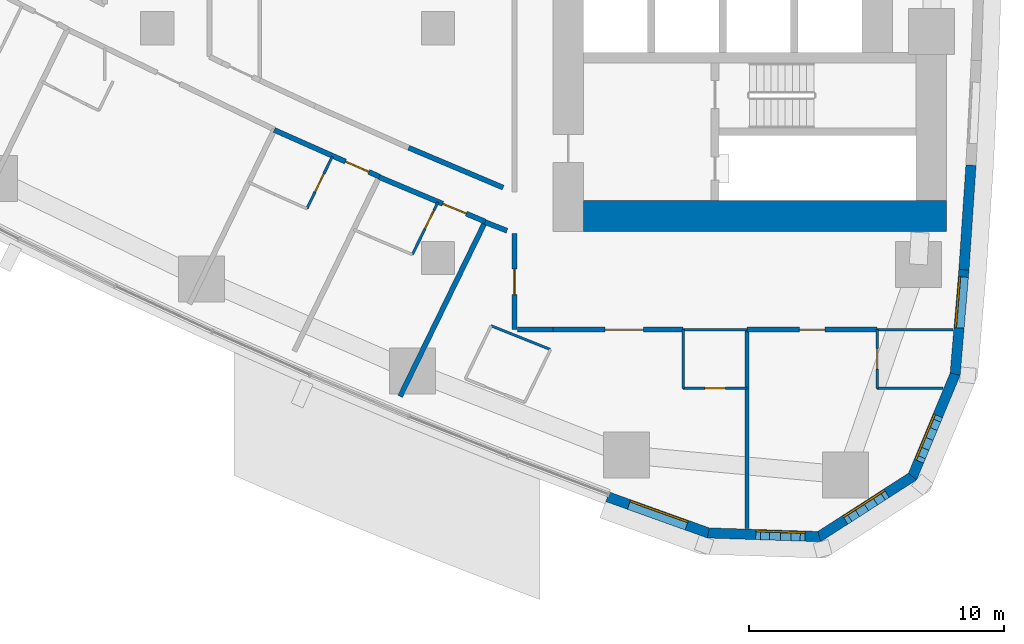
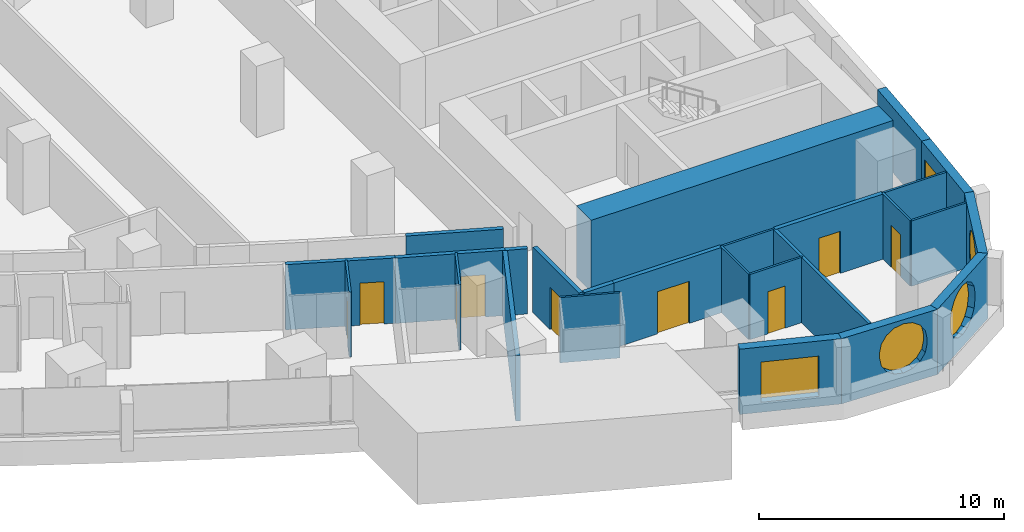
# One storey, part 10 of 19: 26 walls, 9 doors, 5 windows, 14 openings.
"""IFC4 building model written with IfcOpenShell, lengths in metres."""

from ifc_helpers import new_model, si_unit, direction, frame, frame_2d, origin, place, context, subcontext, project, spatial, polyline, rectangle, outline, extrude, material, layer, layer_set, type_object, element, fill, save


model = new_model("IFC4")

# Units and contexts
model_context = context("Model", 3, precision=1e-05, world=origin(), true_north=direction((0.0, 1.0)))
body_context = subcontext(model_context, "Body", "Model", "MODEL_VIEW")
ifc_project = project(units=[si_unit("LENGTHUNIT", "METRE"), si_unit("AREAUNIT", "SQUARE_METRE"), si_unit("VOLUMEUNIT", "CUBIC_METRE"), si_unit("PLANEANGLEUNIT", "RADIAN"), si_unit("MASSUNIT", "GRAM", prefix="KILO")], contexts=[model_context])

# Site, building, storey
site_placement = place(None, origin())
site = spatial("IfcSite", under=ifc_project, at=site_placement, CompositionType="ELEMENT")
building_placement = place(site_placement, origin())
building = spatial("IfcBuilding", under=site, at=building_placement, Name="Ostrand Prow Hotel Tower", CompositionType="ELEMENT")
storey_placement = place(building_placement, frame((0.0, 0.0, 46.699951171875)))
storey = spatial("IfcBuildingStorey", under=building, at=storey_placement, Name="L09", CompositionType="ELEMENT", Elevation=46.699951171875)

# Walls
ifc_material_1 = material(Name="Concrete C80/95", Category="concrete")
ifc_layer_1 = layer(ifc_material_1, 1.199951171875)
ifc_layer_set_1 = layer_set([ifc_layer_1], Name="Concrete C80/95")
wall_type_1 = type_object("IfcWallType", Name="Core wall 1200 C80/95", PredefinedType="SHEAR", material=ifc_layer_set_1)
wall_1_placement = place(storey_placement, frame((50.699951171875, -16.35009765625, 0.0), z_axis=(0.0, 0.0, 1.0), x_axis=(1.0, 0.0, 0.0)))
element("IfcWall", 1, at=wall_1_placement, inside=storey, type_object=wall_type_1, Name="Core wall CW-S", PredefinedType="SHEAR", context=body_context, shape_type="SweptSolid", body=[
    extrude(rectangle(XDim=14.219970703125, YDim=1.199951171875, at=frame_2d((7.10986328125, 0.0))), origin(), (0.0, 0.0, 1.0), 3.550048828125),
])
ifc_material_2 = material(Name="Plasterboard partition")
ifc_layer_2 = layer(ifc_material_2, 0.10009765625)
ifc_layer_set_2 = layer_set([ifc_layer_2], Name="Plasterboard partition")
wall_type_2 = type_object("IfcWallType", Name="Partition 100 bathroom wall", PredefinedType="PARTITIONING", material=ifc_layer_set_2)
wall_2_placement = place(storey_placement, frame((54.601806640625, -23.10009765625, 0.0), z_axis=(0.0, 0.0, 1.0), x_axis=(0.0, 1.0, 0.0)))
element("IfcWall", 2, at=wall_2_placement, inside=storey, type_object=wall_type_2, Name="BATHROOM WALL", PredefinedType="PARTITIONING", context=body_context, shape_type="SweptSolid", body=[
    extrude(rectangle(XDim=2.300048828125, YDim=0.10009765625, at=frame_2d((1.14990234375, 0.0))), origin(), (0.0, 0.0, 1.0), 3.25),
])

# Wall, opening, door
wall_3_placement = place(storey_placement, frame((57.101806640625, -23.10009765625, 0.0), z_axis=(0.0, 0.0, 1.0), x_axis=(-1.0, 0.0, 0.0)))
wall_3 = element("IfcWall", 3, at=wall_3_placement, inside=storey, type_object=wall_type_2, Name="BATHROOM WALL", PredefinedType="PARTITIONING", context=body_context, shape_type="SweptSolid", body=[
    extrude(rectangle(XDim=2.5, YDim=0.10009765625, at=frame_2d((1.25, 0.0))), origin(), (0.0, 0.0, 1.0), 3.25),
])
opening_1_placement = place(wall_3_placement, frame((0.85009765625, 0.0, 0.0)))
opening_1 = element("IfcOpeningElement", 4, at=opening_1_placement, cuts=wall_3, Name="Opening D2", PredefinedType="OPENING", context=body_context, shape_type="SweptSolid", body=[
    extrude(rectangle(XDim=0.800048828125, YDim=2.10009765625, at=frame_2d((0.39990234375, 1.050048828125))), frame((0.0, 0.06005859375, 0.0), z_axis=(0.0, -1.0, 0.0), x_axis=(1.0, 0.0, 0.0)), (0.0, 0.0, 1.0), 0.1201171875),
])
ifc_material_3 = material(Name="Timber door leaf", Category="wood")
door_type_1 = type_object("IfcDoorType", Name="Bathroom door 800", OperationType="SINGLE_SWING_LEFT", PredefinedType="DOOR", material=ifc_material_3)
door_1_placement = place(opening_1_placement, origin())
door_1 = element("IfcDoor", 5, at=door_1_placement, inside=storey, type_object=door_type_1, Name="DOOR", OperationType="SINGLE_SWING_LEFT", OverallHeight=2.10009765625, OverallWidth=0.800048828125, PredefinedType="DOOR", context=body_context, shape_type="SweptSolid", body=[
    extrude(rectangle(XDim=0.800048828125, YDim=2.10009765625, at=frame_2d((0.39990234375, 1.050048828125))), frame((0.0, 0.02490234375, 0.0), z_axis=(0.0, -1.0, 0.0), x_axis=(1.0, 0.0, 0.0)), (0.0, 0.0, 1.0), 0.050048828125),
])
fill(opening_1, door_1)

# Wall
wall_4_placement = place(storey_placement, frame((64.781494140625, -23.10009765625, 0.0), z_axis=(0.0, 0.0, 1.0), x_axis=(-1.0, 0.0, 0.0)))
element("IfcWall", 6, at=wall_4_placement, inside=storey, type_object=wall_type_2, Name="BATHROOM WALL", PredefinedType="PARTITIONING", context=body_context, shape_type="SweptSolid", body=[
    extrude(rectangle(XDim=2.578125, YDim=0.10009765625, at=frame_2d((1.2890625, 0.0))), origin(), (0.0, 0.0, 1.0), 3.25),
])

# Wall, opening, door
wall_5_placement = place(storey_placement, frame((62.203369140625, -23.10009765625, 0.0), z_axis=(0.0, 0.0, 1.0), x_axis=(0.0, 1.0, 0.0)))
wall_5 = element("IfcWall", 7, at=wall_5_placement, inside=storey, type_object=wall_type_2, Name="BATHROOM WALL", PredefinedType="PARTITIONING", context=body_context, shape_type="SweptSolid", body=[
    extrude(rectangle(XDim=2.300048828125, YDim=0.10009765625, at=frame_2d((1.14990234375, 0.0))), origin(), (0.0, 0.0, 1.0), 3.25),
])
opening_2_placement = place(wall_5_placement, frame((0.75, 0.0, 0.0)))
opening_2 = element("IfcOpeningElement", 8, at=opening_2_placement, cuts=wall_5, Name="Opening D2", PredefinedType="OPENING", context=body_context, shape_type="SweptSolid", body=[
    extrude(rectangle(XDim=0.800048828125, YDim=2.10009765625, at=frame_2d((0.39990234375, 1.050048828125))), frame((0.0, 0.06005859375, 0.0), z_axis=(0.0, -1.0, 0.0), x_axis=(1.0, 0.0, 0.0)), (0.0, 0.0, 1.0), 0.1201171875),
])
door_2_placement = place(opening_2_placement, origin())
door_2 = element("IfcDoor", 9, at=door_2_placement, inside=storey, type_object=door_type_1, Name="DOOR", OperationType="SINGLE_SWING_LEFT", OverallHeight=2.10009765625, OverallWidth=0.800048828125, PredefinedType="DOOR", context=body_context, shape_type="SweptSolid", body=[
    extrude(rectangle(XDim=0.800048828125, YDim=2.10009765625, at=frame_2d((0.39990234375, 1.050048828125))), frame((0.0, 0.02490234375, 0.0), z_axis=(0.0, -1.0, 0.0), x_axis=(1.0, 0.0, 0.0)), (0.0, 0.0, 1.0), 0.050048828125),
])
fill(opening_2, door_2)

wall_6_placement = place(storey_placement, frame((40.861328125, -14.0166015625, 0.0), z_axis=(0.0, 0.0, 1.0), x_axis=(-0.438233629628, -0.898861104878, 0.0)))
wall_6 = element("IfcWall", 10, at=wall_6_placement, inside=storey, type_object=wall_type_2, Name="BATHROOM WALL", PredefinedType="PARTITIONING", context=body_context, shape_type="SweptSolid", body=[
    extrude(rectangle(XDim=2.278564453125, YDim=0.10009765625, at=frame_2d((1.13916015625, 0.0))), origin(), (0.0, 0.0, 1.0), 3.25),
])
opening_3_placement = place(wall_6_placement, frame((0.75, 0.0, 0.0)))
opening_3 = element("IfcOpeningElement", 11, at=opening_3_placement, cuts=wall_6, Name="Opening D2", PredefinedType="OPENING", context=body_context, shape_type="SweptSolid", body=[
    extrude(rectangle(XDim=0.800048828125, YDim=2.10009765625, at=frame_2d((0.39990234375, 1.050048828125))), frame((0.0, 0.06005859375, 0.0), z_axis=(0.0, -1.0, 0.0), x_axis=(1.0, 0.0, 0.0)), (0.0, 0.0, 1.0), 0.1201171875),
])
door_3_placement = place(opening_3_placement, origin())
door_3 = element("IfcDoor", 12, at=door_3_placement, inside=storey, type_object=door_type_1, Name="DOOR", OperationType="SINGLE_SWING_LEFT", OverallHeight=2.10009765625, OverallWidth=0.800048828125, PredefinedType="DOOR", context=body_context, shape_type="SweptSolid", body=[
    extrude(rectangle(XDim=0.800048828125, YDim=2.10009765625, at=frame_2d((0.39990234375, 1.050048828125))), frame((0.0, 0.02490234375, 0.0), z_axis=(0.0, -1.0, 0.0), x_axis=(1.0, 0.0, 0.0)), (0.0, 0.0, 1.0), 0.050048828125),
])
fill(opening_3, door_3)

wall_7_placement = place(storey_placement, frame((44.994384765625, -15.8134765625, 0.0), z_axis=(0.0, 0.0, 1.0), x_axis=(-0.438197922062, -0.898878512982, 0.0)))
wall_7 = element("IfcWall", 13, at=wall_7_placement, inside=storey, type_object=wall_type_2, Name="BATHROOM WALL", PredefinedType="PARTITIONING", context=body_context, shape_type="SweptSolid", body=[
    extrude(rectangle(XDim=2.280517578125, YDim=0.10009765625, at=frame_2d((1.14013671875, 0.0))), origin(), (0.0, 0.0, 1.0), 3.25),
])
opening_4_placement = place(wall_7_placement, frame((0.35009765625, 0.0, 0.0)))
opening_4 = element("IfcOpeningElement", 14, at=opening_4_placement, cuts=wall_7, Name="Opening D2", PredefinedType="OPENING", context=body_context, shape_type="SweptSolid", body=[
    extrude(rectangle(XDim=0.800048828125, YDim=2.10009765625, at=frame_2d((0.39990234375, 1.050048828125))), frame((0.0, 0.06005859375, 0.0), z_axis=(0.0, -1.0, 0.0), x_axis=(1.0, 0.0, 0.0)), (0.0, 0.0, 1.0), 0.1201171875),
])
door_4_placement = place(opening_4_placement, origin())
door_4 = element("IfcDoor", 15, at=door_4_placement, inside=storey, type_object=door_type_1, Name="DOOR", OperationType="SINGLE_SWING_LEFT", OverallHeight=2.10009765625, OverallWidth=0.800048828125, PredefinedType="DOOR", context=body_context, shape_type="SweptSolid", body=[
    extrude(rectangle(XDim=0.800048828125, YDim=2.10009765625, at=frame_2d((0.39990234375, 1.050048828125))), frame((0.0, 0.02490234375, 0.0), z_axis=(0.0, -1.0, 0.0), x_axis=(1.0, 0.0, 0.0)), (0.0, 0.0, 1.0), 0.050048828125),
])
fill(opening_4, door_4)

# Walls
wall_8_placement = place(storey_placement, frame((47.0791015625, -20.652099609375, 0.0), z_axis=(0.0, 0.0, 1.0), x_axis=(0.928266690687, -0.371915247014, 0.0)))
element("IfcWall", 16, at=wall_8_placement, inside=storey, type_object=wall_type_2, Name="BATHROOM WALL", PredefinedType="PARTITIONING", context=body_context, shape_type="SweptSolid", body=[
    extrude(rectangle(XDim=2.4873046875, YDim=0.10009765625, at=frame_2d((1.24365234375, 0.0))), origin(), (0.0, 0.0, 1.0), 3.25),
])
wall_9_placement = place(storey_placement, frame((54.601806640625, -20.804931640625, 0.0), z_axis=(0.0, 0.0, 1.0), x_axis=(1.0, 0.0, 0.0)))
element("IfcWall", 17, at=wall_9_placement, inside=storey, type_object=wall_type_2, Name="BATHROOM WALL", PredefinedType="PARTITIONING", context=body_context, shape_type="SweptSolid", body=[
    extrude(rectangle(XDim=2.5, YDim=0.10009765625, at=frame_2d((1.25, 0.0))), origin(), (0.0, 0.0, 1.0), 3.25),
])
wall_10_placement = place(storey_placement, frame((62.203369140625, -20.804931640625, 0.0), z_axis=(0.0, 0.0, 1.0), x_axis=(1.0, 0.0, 0.0)))
element("IfcWall", 18, at=wall_10_placement, inside=storey, type_object=wall_type_2, Name="BATHROOM WALL", PredefinedType="PARTITIONING", context=body_context, shape_type="SweptSolid", body=[
    extrude(rectangle(XDim=2.97119140625, YDim=0.10009765625, at=frame_2d((1.485595703125, 0.0))), origin(), (0.0, 0.0, 1.0), 3.25),
])
ifc_material_4 = material(Name="Plasterboard partition")
ifc_layer_3 = layer(ifc_material_4, 0.14990234375)
ifc_layer_set_3 = layer_set([ifc_layer_3], Name="Plasterboard partition")
wall_type_3 = type_object("IfcWallType", Name="Partition 150 room partition", PredefinedType="PARTITIONING", material=ifc_layer_set_3)
wall_11_placement = place(storey_placement, frame((57.101806640625, -28.5869140625, 0.0), z_axis=(0.0, 0.0, 1.0), x_axis=(0.0, 1.0, 0.0)))
element("IfcWall", 19, at=wall_11_placement, inside=storey, type_object=wall_type_3, Name="ROOM PARTITION", PredefinedType="PARTITIONING", context=body_context, shape_type="SweptSolid", body=[
    extrude(rectangle(XDim=7.786865234375, YDim=0.14990234375, at=frame_2d((3.8935546875, 0.0))), origin(), (0.0, 0.0, 1.0), 3.25),
])

# Wall, opening, door
ifc_material_5 = material(Name="Plasterboard partition")
ifc_layer_4 = layer(ifc_material_5, 0.199951171875)
ifc_layer_set_4 = layer_set([ifc_layer_4], Name="Plasterboard partition")
wall_type_4 = type_object("IfcWallType", Name="Partition 200 corridor wall", PredefinedType="PARTITIONING", material=ifc_layer_set_4)
wall_12_placement = place(storey_placement, frame((38.584716796875, -12.981201171875, 0.0), z_axis=(0.0, 0.0, 1.0), x_axis=(0.914010307464, -0.40569096348, 0.0)))
wall_12 = element("IfcWall", 20, at=wall_12_placement, inside=storey, type_object=wall_type_4, Name="CORRIDOR WALL", PredefinedType="PARTITIONING", context=body_context, shape_type="SweptSolid", body=[
    extrude(rectangle(XDim=4.505615234375, YDim=0.199951171875, at=frame_2d((2.2529296875, 0.0))), origin(), (0.0, 0.0, 1.0), 3.25),
])
opening_5_placement = place(wall_12_placement, frame((3.050048828125, 0.0, 0.0)))
opening_5 = element("IfcOpeningElement", 21, at=opening_5_placement, cuts=wall_12, Name="Opening D1R", PredefinedType="OPENING", context=body_context, shape_type="SweptSolid", body=[
    extrude(rectangle(XDim=1.0, YDim=2.10009765625, at=frame_2d((0.5, 1.050048828125))), frame((0.0, 0.10986328125, 0.0), z_axis=(0.0, -1.0, 0.0), x_axis=(1.0, 0.0, 0.0)), (0.0, 0.0, 1.0), 0.219970703125),
])
ifc_material_6 = material(Name="Timber door leaf", Category="wood")
door_type_2 = type_object("IfcDoorType", Name="Guest room door 1000 right", OperationType="SINGLE_SWING_RIGHT", PredefinedType="DOOR", material=ifc_material_6)
door_5_placement = place(opening_5_placement, origin())
door_5 = element("IfcDoor", 22, at=door_5_placement, inside=storey, type_object=door_type_2, Name="DOOR", OperationType="SINGLE_SWING_RIGHT", OverallHeight=2.10009765625, OverallWidth=1.0, PredefinedType="DOOR", context=body_context, shape_type="SweptSolid", body=[
    extrude(rectangle(XDim=1.0, YDim=2.10009765625, at=frame_2d((0.5, 1.050048828125))), frame((0.0, 0.02490234375, 0.0), z_axis=(0.0, -1.0, 0.0), x_axis=(1.0, 0.0, 0.0)), (0.0, 0.0, 1.0), 0.050048828125),
])
fill(opening_5, door_5)

wall_13_placement = place(storey_placement, frame((42.694091796875, -14.8271484375, 0.0), z_axis=(0.0, 0.0, 1.0), x_axis=(0.922040468003, -0.38709349693, 0.0)))
wall_13 = element("IfcWall", 23, at=wall_13_placement, inside=storey, type_object=wall_type_4, Name="CORRIDOR WALL", PredefinedType="PARTITIONING", context=body_context, shape_type="SweptSolid", body=[
    extrude(rectangle(XDim=4.509521484375, YDim=0.199951171875, at=frame_2d((2.2548828125, 0.0))), origin(), (0.0, 0.0, 1.0), 3.25),
])
opening_6_placement = place(wall_13_placement, frame((2.699951171875, 0.0, 0.0)))
opening_6 = element("IfcOpeningElement", 24, at=opening_6_placement, cuts=wall_13, Name="Opening D1R", PredefinedType="OPENING", context=body_context, shape_type="SweptSolid", body=[
    extrude(rectangle(XDim=1.0, YDim=2.10009765625, at=frame_2d((0.5, 1.050048828125))), frame((0.0, 0.10986328125, 0.0), z_axis=(0.0, -1.0, 0.0), x_axis=(1.0, 0.0, 0.0)), (0.0, 0.0, 1.0), 0.219970703125),
])
door_6_placement = place(opening_6_placement, origin())
door_6 = element("IfcDoor", 25, at=door_6_placement, inside=storey, type_object=door_type_2, Name="DOOR", OperationType="SINGLE_SWING_RIGHT", OverallHeight=2.10009765625, OverallWidth=1.0, PredefinedType="DOOR", context=body_context, shape_type="SweptSolid", body=[
    extrude(rectangle(XDim=1.0, YDim=2.10009765625, at=frame_2d((0.5, 1.050048828125))), frame((0.0, 0.02490234375, 0.0), z_axis=(0.0, -1.0, 0.0), x_axis=(1.0, 0.0, 0.0)), (0.0, 0.0, 1.0), 0.050048828125),
])
fill(opening_6, door_6)

# Wall
wall_14_placement = place(storey_placement, frame((47.549560546875, -15.239013671875, 0.0), z_axis=(0.0, 0.0, 1.0), x_axis=(-0.921269894054, 0.388923877269, 0.0)))
element("IfcWall", 26, at=wall_14_placement, inside=storey, type_object=wall_type_4, Name="CORRIDOR WALL", PredefinedType="PARTITIONING", context=body_context, shape_type="SweptSolid", body=[
    extrude(rectangle(XDim=4.015625, YDim=0.199951171875, at=frame_2d((2.0078125, 0.0))), origin(), (0.0, 0.0, 1.0), 3.25),
])

# Wall, opening, door
wall_15_placement = place(storey_placement, frame((49.5, -20.804931640625, 0.0), z_axis=(0.0, 0.0, 1.0), x_axis=(1.0, 0.0, 0.0)))
wall_15 = element("IfcWall", 27, at=wall_15_placement, inside=storey, type_object=wall_type_4, Name="CORRIDOR WALL", PredefinedType="PARTITIONING", context=body_context, shape_type="SweptSolid", body=[
    extrude(rectangle(XDim=5.0966796875, YDim=0.199951171875, at=frame_2d((2.54833984375, 0.0))), origin(), (0.0, 0.0, 1.0), 3.25),
])
opening_7_placement = place(wall_15_placement, frame((2.04833984375, 0.0, 0.0)))
opening_7 = element("IfcOpeningElement", 28, at=opening_7_placement, cuts=wall_15, Name="Opening D15", PredefinedType="OPENING", context=body_context, shape_type="SweptSolid", body=[
    extrude(rectangle(XDim=1.5, YDim=2.10009765625, at=frame_2d((0.75, 1.050048828125))), frame((0.0, 0.10986328125, 0.0), z_axis=(0.0, -1.0, 0.0), x_axis=(1.0, 0.0, 0.0)), (0.0, 0.0, 1.0), 0.219970703125),
])
ifc_material_7 = material(Name="Timber door leaf", Category="wood")
door_type_3 = type_object("IfcDoorType", Name="Double door 1500", OperationType="DOUBLE_DOOR_SINGLE_SWING", PredefinedType="DOOR", material=ifc_material_7)
door_7_placement = place(opening_7_placement, origin())
door_7 = element("IfcDoor", 29, at=door_7_placement, inside=storey, type_object=door_type_3, Name="DOOR", OperationType="DOUBLE_DOOR_SINGLE_SWING", OverallHeight=2.10009765625, OverallWidth=1.5, PredefinedType="DOOR", context=body_context, shape_type="SweptSolid", body=[
    extrude(rectangle(XDim=1.5, YDim=2.10009765625, at=frame_2d((0.75, 1.050048828125))), frame((0.0, 0.02490234375, 0.0), z_axis=(0.0, -1.0, 0.0), x_axis=(1.0, 0.0, 0.0)), (0.0, 0.0, 1.0), 0.050048828125),
])
fill(opening_7, door_7)

wall_16_placement = place(storey_placement, frame((57.106689453125, -20.804931640625, 0.0), z_axis=(0.0, 0.0, 1.0), x_axis=(1.0, 0.0, 0.0)))
wall_16 = element("IfcWall", 30, at=wall_16_placement, inside=storey, type_object=wall_type_4, Name="CORRIDOR WALL", PredefinedType="PARTITIONING", context=body_context, shape_type="SweptSolid", body=[
    extrude(rectangle(XDim=5.091552734375, YDim=0.199951171875, at=frame_2d((2.5458984375, 0.0))), origin(), (0.0, 0.0, 1.0), 3.25),
])
opening_8_placement = place(wall_16_placement, frame((2.0458984375, 0.0, 0.0)))
opening_8 = element("IfcOpeningElement", 31, at=opening_8_placement, cuts=wall_16, Name="Opening D1", PredefinedType="OPENING", context=body_context, shape_type="SweptSolid", body=[
    extrude(rectangle(XDim=1.0, YDim=2.10009765625, at=frame_2d((0.5, 1.050048828125))), frame((0.0, 0.10986328125, 0.0), z_axis=(0.0, -1.0, 0.0), x_axis=(1.0, 0.0, 0.0)), (0.0, 0.0, 1.0), 0.219970703125),
])
ifc_material_8 = material(Name="Timber door leaf", Category="wood")
door_type_4 = type_object("IfcDoorType", Name="Guest room door 1000", OperationType="SINGLE_SWING_LEFT", PredefinedType="DOOR", material=ifc_material_8)
door_8_placement = place(opening_8_placement, origin())
door_8 = element("IfcDoor", 32, at=door_8_placement, inside=storey, type_object=door_type_4, Name="DOOR", OperationType="SINGLE_SWING_LEFT", OverallHeight=2.10009765625, OverallWidth=1.0, PredefinedType="DOOR", context=body_context, shape_type="SweptSolid", body=[
    extrude(rectangle(XDim=1.0, YDim=2.10009765625, at=frame_2d((0.5, 1.050048828125))), frame((0.0, 0.02490234375, 0.0), z_axis=(0.0, -1.0, 0.0), x_axis=(1.0, 0.0, 0.0)), (0.0, 0.0, 1.0), 0.050048828125),
])
fill(opening_8, door_8)

# Wall
wall_17_placement = place(storey_placement, frame((46.843505859375, -16.5908203125, 0.0), z_axis=(0.0, 0.0, 1.0), x_axis=(0.930610193452, -0.366011841125, 0.0)))
element("IfcWall", 33, at=wall_17_placement, inside=storey, type_object=wall_type_4, Name="CORRIDOR WALL", PredefinedType="PARTITIONING", context=body_context, shape_type="SweptSolid", body=[
    extrude(rectangle(XDim=0.924560546875, YDim=0.199951171875, at=frame_2d((0.46240234375, 0.0))), origin(), (0.0, 0.0, 1.0), 3.25),
])

# Wall, opening, door
wall_18_placement = place(storey_placement, frame((47.998779296875, -17.033203125, 0.0), z_axis=(0.0, 0.0, 1.0), x_axis=(-0.000971816839, -0.999999527786, 0.0)))
wall_18 = element("IfcWall", 34, at=wall_18_placement, inside=storey, type_object=wall_type_4, Name="CORRIDOR WALL", PredefinedType="PARTITIONING", context=body_context, shape_type="SweptSolid", body=[
    extrude(rectangle(XDim=3.768310546875, YDim=0.199951171875, at=frame_2d((1.88427734375, 0.0))), origin(), (0.0, 0.0, 1.0), 3.25),
])
opening_9_placement = place(wall_18_placement, frame((1.39990234375, 0.0, 0.0)))
opening_9 = element("IfcOpeningElement", 35, at=opening_9_placement, cuts=wall_18, Name="Opening D1", PredefinedType="OPENING", context=body_context, shape_type="SweptSolid", body=[
    extrude(rectangle(XDim=1.0, YDim=2.10009765625, at=frame_2d((0.5, 1.050048828125))), frame((0.0, 0.10986328125, 0.0), z_axis=(0.0, -1.0, 0.0), x_axis=(1.0, 0.0, 0.0)), (0.0, 0.0, 1.0), 0.219970703125),
])
door_9_placement = place(opening_9_placement, origin())
door_9 = element("IfcDoor", 36, at=door_9_placement, inside=storey, type_object=door_type_4, Name="DOOR", OperationType="SINGLE_SWING_LEFT", OverallHeight=2.10009765625, OverallWidth=1.0, PredefinedType="DOOR", context=body_context, shape_type="SweptSolid", body=[
    extrude(rectangle(XDim=1.0, YDim=2.10009765625, at=frame_2d((0.5, 1.050048828125))), frame((0.0, 0.02490234375, 0.0), z_axis=(0.0, -1.0, 0.0), x_axis=(1.0, 0.0, 0.0)), (0.0, 0.0, 1.0), 0.050048828125),
])
fill(opening_9, door_9)

# Walls
wall_19_placement = place(storey_placement, frame((48.115234375, -20.8017578125, 0.0), z_axis=(0.0, 0.0, 1.0), x_axis=(0.999997373469, -0.002291954488, 0.0)))
element("IfcWall", 37, at=wall_19_placement, inside=storey, type_object=wall_type_4, Name="CORRIDOR WALL", PredefinedType="PARTITIONING", context=body_context, shape_type="SweptSolid", body=[
    extrude(rectangle(XDim=1.384765625, YDim=0.199951171875, at=frame_2d((0.6923828125, 0.0))), origin(), (0.0, 0.0, 1.0), 3.25),
])
ifc_material_9 = material(Name="Plasterboard partition")
ifc_layer_5 = layer(ifc_material_9, 0.199951171875)
ifc_layer_set_5 = layer_set([ifc_layer_5], Name="Plasterboard partition")
wall_type_5 = type_object("IfcWallType", Name="Partition 200 key partition", PredefinedType="PARTITIONING", material=ifc_layer_set_5)
wall_20_placement = place(storey_placement, frame((43.516845703125, -23.414306640625, 0.0), z_axis=(0.0, 0.0, 1.0), x_axis=(0.438196739796, 0.898879089328, 0.0)))
element("IfcWall", 38, at=wall_20_placement, inside=storey, type_object=wall_type_5, Name="KEY PARTITION", PredefinedType="PARTITIONING", context=body_context, shape_type="SweptSolid", body=[
    extrude(rectangle(XDim=7.611083984375, YDim=0.199951171875, at=frame_2d((3.8056640625, 0.0))), origin(), (0.0, 0.0, 1.0), 3.25),
])

# Wall, opening, window
ifc_material_10 = material(Name="Precast concrete C40/50", Category="concrete")
ifc_layer_6 = layer(ifc_material_10, 0.39990234375)
ifc_layer_set_6 = layer_set([ifc_layer_6], Name="Precast concrete C40/50")
wall_type_6 = type_object("IfcWallType", Name="Stone-faced precast wall 400 mm", PredefinedType="NOTDEFINED", material=ifc_layer_set_6)
wall_21_placement = place(storey_placement, frame((51.639892578125, -27.3515625, 0.0), z_axis=(0.0, 0.0, 1.0), x_axis=(0.941339752885, -0.337460323057, 0.0)))
wall_21 = element("IfcWall", 39, at=wall_21_placement, inside=storey, type_object=wall_type_6, Name="Stone-faced wall back 1", PredefinedType="NOTDEFINED", context=body_context, shape_type="SweptSolid", body=[
    extrude(outline(polyline([(0.0, -0.199951171875), (4.2275390625, -0.199951171875), (4.16455078125, 0.199951171875), (0.0, 0.199951171875), (0.0, -0.199951171875)])), origin(), (0.0, 0.0, 1.0), 3.25),
])
opening_10_placement = place(wall_21_placement, frame((0.89794921875, 0.0, 0.5)))
opening_10 = element("IfcOpeningElement", 40, at=opening_10_placement, cuts=wall_21, Name="Opening WA1", PredefinedType="OPENING", context=body_context, shape_type="SweptSolid", body=[
    extrude(rectangle(XDim=2.39990234375, YDim=2.0, at=frame_2d((1.199951171875, 1.0))), frame((0.0, 0.2099609375, 0.0), z_axis=(0.0, -1.0, 0.0), x_axis=(1.0, 0.0, 0.0)), (0.0, 0.0, 1.0), 0.419921875),
])
ifc_material_11 = material(Name="Insulated glass in bronze frame", Category="glass")
window_type_1 = type_object("IfcWindowType", Name="Amenity picture window 2400x2000", PartitioningType="SINGLE_PANEL", PredefinedType="WINDOW", material=ifc_material_11)
window_1_placement = place(opening_10_placement, origin())
window_1 = element("IfcWindow", 41, at=window_1_placement, inside=storey, type_object=window_type_1, Name="Window back 1.1", OverallHeight=2.0, OverallWidth=2.39990234375, PartitioningType="SINGLE_PANEL", PredefinedType="WINDOW", context=body_context, shape_type="SweptSolid", body=[
    extrude(rectangle(XDim=2.39990234375, YDim=2.0, at=frame_2d((1.199951171875, 1.0))), frame((0.0, 0.169921875, 0.0), z_axis=(0.0, -1.0, 0.0), x_axis=(1.0, 0.0, 0.0)), (0.0, 0.0, 1.0), 0.06005859375),
])
fill(opening_10, window_1)

wall_22_placement = place(storey_placement, frame((55.58984375, -28.767578125, 0.0), z_axis=(0.0, 0.0, 1.0), x_axis=(0.999463576228, -0.032749958686, 0.0)))
wall_22 = element("IfcWall", 42, at=wall_22_placement, inside=storey, type_object=wall_type_6, Name="Stone-faced wall back 2", PredefinedType="NOTDEFINED", context=body_context, shape_type="SweptSolid", body=[
    extrude(outline(polyline([(-0.031494140625, -0.199951171875), (4.40869140625, -0.199951171875), (4.28369140625, 0.199951171875), (0.031494140625, 0.199951171875), (-0.031494140625, -0.199951171875)])), origin(), (0.0, 0.0, 1.0), 3.25),
])
opening_11_placement = place(wall_22_placement, frame((1.724365234375, 0.0, 0.60009765625)))
opening_11 = element("IfcOpeningElement", 43, at=opening_11_placement, cuts=wall_22, Name="Opening WP2", PredefinedType="OPENING", context=body_context, shape_type="SweptSolid", body=[
    extrude(outline(polyline([(0.0, 1.35009765625), (0.083740234375, 1.77099609375), (0.322265625, 2.127685546875), (0.678955078125, 2.3662109375), (1.10009765625, 2.449951171875), (1.52099609375, 2.3662109375), (1.877685546875, 2.127685546875), (2.1162109375, 1.77099609375), (2.199951171875, 1.35009765625), (2.199951171875, 1.10009765625), (2.1162109375, 0.678955078125), (1.877685546875, 0.322265625), (1.52099609375, 0.083740234375), (1.10009765625, 0.0), (0.678955078125, 0.083740234375), (0.322265625, 0.322265625), (0.083740234375, 0.678955078125), (0.0, 1.099853515625), (0.0, 1.35009765625)])), frame((0.0, 0.2099609375, 0.0), z_axis=(0.0, -1.0, 0.0), x_axis=(1.0, 0.0, 0.0)), (0.0, 0.0, 1.0), 0.419921875),
])
ifc_material_12 = material(Name="Insulated glass in bronze frame", Category="glass")
window_type_2 = type_object("IfcWindowType", Name="Round-ended prow lounge window 2200x2450", PartitioningType="SINGLE_PANEL", PredefinedType="WINDOW", material=ifc_material_12)
window_2_placement = place(opening_11_placement, origin())
window_2 = element("IfcWindow", 44, at=window_2_placement, inside=storey, type_object=window_type_2, Name="Window back 2.1", OverallHeight=2.449951171875, OverallWidth=2.199951171875, PartitioningType="SINGLE_PANEL", PredefinedType="WINDOW", context=body_context, shape_type="SweptSolid", body=[
    extrude(outline(polyline([(0.0, 1.35009765625), (0.083740234375, 1.77099609375), (0.322265625, 2.127685546875), (0.678955078125, 2.3662109375), (1.10009765625, 2.449951171875), (1.52099609375, 2.3662109375), (1.877685546875, 2.127685546875), (2.1162109375, 1.77099609375), (2.199951171875, 1.35009765625), (2.199951171875, 1.10009765625), (2.1162109375, 0.678955078125), (1.877685546875, 0.322265625), (1.52099609375, 0.083740234375), (1.10009765625, 0.0), (0.678955078125, 0.083740234375), (0.322265625, 0.322265625), (0.083740234375, 0.678955078125), (0.0, 1.099853515625), (0.0, 1.35009765625)])), frame((0.0, 0.169921875, 0.0), z_axis=(0.0, -1.0, 0.0), x_axis=(1.0, 0.0, 0.0)), (0.0, 0.0, 1.0), 0.06005859375),
])
fill(opening_11, window_2)

wall_23_placement = place(storey_placement, frame((59.93359375, -28.909912109375, 0.0), z_axis=(0.0, 0.0, 1.0), x_axis=(0.840937468718, 0.541132307025, 0.0)))
wall_23 = element("IfcWall", 45, at=wall_23_placement, inside=storey, type_object=wall_type_6, Name="Stone-faced wall back 3", PredefinedType="NOTDEFINED", context=body_context, shape_type="SweptSolid", body=[
    extrude(outline(polyline([(-0.0625, -0.199951171875), (4.40869140625, -0.199951171875), (4.28369140625, 0.199951171875), (0.0625, 0.199951171875), (-0.0625, -0.199951171875)])), origin(), (0.0, 0.0, 1.0), 3.25),
])
opening_12_placement = place(wall_23_placement, frame((1.072998046875, 0.0, 0.60009765625)))
opening_12 = element("IfcOpeningElement", 46, at=opening_12_placement, cuts=wall_23, Name="Opening WP2", PredefinedType="OPENING", context=body_context, shape_type="SweptSolid", body=[
    extrude(outline(polyline([(0.0, 1.35009765625), (0.083740234375, 1.77099609375), (0.322265625, 2.127685546875), (0.678955078125, 2.3662109375), (1.10009765625, 2.449951171875), (1.52099609375, 2.3662109375), (1.877685546875, 2.127685546875), (2.1162109375, 1.77099609375), (2.199951171875, 1.35009765625), (2.199951171875, 1.10009765625), (2.1162109375, 0.678955078125), (1.877685546875, 0.322265625), (1.52099609375, 0.083740234375), (1.10009765625, 0.0), (0.678955078125, 0.083740234375), (0.322265625, 0.322265625), (0.083740234375, 0.678955078125), (0.0, 1.099853515625), (0.0, 1.35009765625)])), frame((0.0, 0.2099609375, 0.0), z_axis=(0.0, -1.0, 0.0), x_axis=(1.0, 0.0, 0.0)), (0.0, 0.0, 1.0), 0.419921875),
])
window_3_placement = place(opening_12_placement, origin())
window_3 = element("IfcWindow", 47, at=window_3_placement, inside=storey, type_object=window_type_2, Name="Window back 3.1", OverallHeight=2.449951171875, OverallWidth=2.199951171875, PartitioningType="SINGLE_PANEL", PredefinedType="WINDOW", context=body_context, shape_type="SweptSolid", body=[
    extrude(outline(polyline([(0.0, 1.35009765625), (0.083740234375, 1.77099609375), (0.322265625, 2.127685546875), (0.678955078125, 2.3662109375), (1.10009765625, 2.449951171875), (1.52099609375, 2.3662109375), (1.877685546875, 2.127685546875), (2.1162109375, 1.77099609375), (2.199951171875, 1.35009765625), (2.199951171875, 1.10009765625), (2.1162109375, 0.678955078125), (1.877685546875, 0.322265625), (1.52099609375, 0.083740234375), (1.10009765625, 0.0), (0.678955078125, 0.083740234375), (0.322265625, 0.322265625), (0.083740234375, 0.678955078125), (0.0, 1.099853515625), (0.0, 1.35009765625)])), frame((0.0, 0.169921875, 0.0), z_axis=(0.0, -1.0, 0.0), x_axis=(1.0, 0.0, 0.0)), (0.0, 0.0, 1.0), 0.06005859375),
])
fill(opening_12, window_3)

wall_24_placement = place(storey_placement, frame((63.58837890625, -26.55810546875, 0.0), z_axis=(0.0, 0.0, 1.0), x_axis=(0.384372042685, 0.923178277908, 0.0)))
wall_24 = element("IfcWall", 48, at=wall_24_placement, inside=storey, type_object=wall_type_6, Name="Stone-faced wall back 4", PredefinedType="NOTDEFINED", context=body_context, shape_type="SweptSolid", body=[
    extrude(outline(polyline([(-0.0625, -0.199951171875), (4.376953125, -0.199951171875), (4.314453125, 0.199951171875), (0.0625, 0.199951171875), (-0.0625, -0.199951171875)])), origin(), (0.0, 0.0, 1.0), 3.25),
])
opening_13_placement = place(wall_24_placement, frame((0.515380859375, 0.0, 0.60009765625)))
opening_13 = element("IfcOpeningElement", 49, at=opening_13_placement, cuts=wall_24, Name="Opening WP2", PredefinedType="OPENING", context=body_context, shape_type="SweptSolid", body=[
    extrude(outline(polyline([(0.0, 1.35009765625), (0.083740234375, 1.77099609375), (0.322265625, 2.127685546875), (0.678955078125, 2.3662109375), (1.10009765625, 2.449951171875), (1.52099609375, 2.3662109375), (1.877685546875, 2.127685546875), (2.1162109375, 1.77099609375), (2.199951171875, 1.35009765625), (2.199951171875, 1.10009765625), (2.1162109375, 0.678955078125), (1.877685546875, 0.322265625), (1.52099609375, 0.083740234375), (1.10009765625, 0.0), (0.678955078125, 0.083740234375), (0.322265625, 0.322265625), (0.083740234375, 0.678955078125), (0.0, 1.099853515625), (0.0, 1.35009765625)])), frame((0.0, 0.2099609375, 0.0), z_axis=(0.0, -1.0, 0.0), x_axis=(1.0, 0.0, 0.0)), (0.0, 0.0, 1.0), 0.419921875),
])
window_4_placement = place(opening_13_placement, origin())
window_4 = element("IfcWindow", 50, at=window_4_placement, inside=storey, type_object=window_type_2, Name="Window back 4.1", OverallHeight=2.449951171875, OverallWidth=2.199951171875, PartitioningType="SINGLE_PANEL", PredefinedType="WINDOW", context=body_context, shape_type="SweptSolid", body=[
    extrude(outline(polyline([(0.0, 1.35009765625), (0.083740234375, 1.77099609375), (0.322265625, 2.127685546875), (0.678955078125, 2.3662109375), (1.10009765625, 2.449951171875), (1.52099609375, 2.3662109375), (1.877685546875, 2.127685546875), (2.1162109375, 1.77099609375), (2.199951171875, 1.35009765625), (2.199951171875, 1.10009765625), (2.1162109375, 0.678955078125), (1.877685546875, 0.322265625), (1.52099609375, 0.083740234375), (1.10009765625, 0.0), (0.678955078125, 0.083740234375), (0.322265625, 0.322265625), (0.083740234375, 0.678955078125), (0.0, 1.099853515625), (0.0, 1.35009765625)])), frame((0.0, 0.169921875, 0.0), z_axis=(0.0, -1.0, 0.0), x_axis=(1.0, 0.0, 0.0)), (0.0, 0.0, 1.0), 0.06005859375),
])
fill(opening_13, window_4)

wall_25_placement = place(storey_placement, frame((65.2587890625, -22.546142578125, 0.0), z_axis=(0.0, 0.0, 1.0), x_axis=(0.083793550906, 0.996483136248, 0.0)))
wall_25 = element("IfcWall", 51, at=wall_25_placement, inside=storey, type_object=wall_type_6, Name="Stone-faced wall back 5", PredefinedType="NOTDEFINED", context=body_context, shape_type="SweptSolid", body=[
    extrude(outline(polyline([(-0.03125, -0.199951171875), (4.10693359375, -0.199951171875), (4.103515625, 0.199951171875), (0.03125, 0.199951171875), (-0.03125, -0.199951171875)])), origin(), (0.0, 0.0, 1.0), 3.25),
])
opening_14_placement = place(wall_25_placement, frame((1.81689453125, 0.0, 0.5)))
opening_14 = element("IfcOpeningElement", 52, at=opening_14_placement, cuts=wall_25, Name="Opening WA1-20", PredefinedType="OPENING", context=body_context, shape_type="SweptSolid", body=[
    extrude(rectangle(XDim=2.0, YDim=2.0, at=frame_2d((1.0, 1.0))), frame((0.0, 0.2099609375, 0.0), z_axis=(0.0, -1.0, 0.0), x_axis=(1.0, 0.0, 0.0)), (0.0, 0.0, 1.0), 0.419921875),
])
ifc_material_13 = material(Name="Insulated glass in bronze frame", Category="glass")
window_type_3 = type_object("IfcWindowType", Name="Amenity picture window 2000x2000", PartitioningType="SINGLE_PANEL", PredefinedType="WINDOW", material=ifc_material_13)
window_5_placement = place(opening_14_placement, origin())
window_5 = element("IfcWindow", 53, at=window_5_placement, inside=storey, type_object=window_type_3, Name="Window back 5.1", OverallHeight=2.0, OverallWidth=2.0, PartitioningType="SINGLE_PANEL", PredefinedType="WINDOW", context=body_context, shape_type="SweptSolid", body=[
    extrude(rectangle(XDim=2.0, YDim=2.0, at=frame_2d((1.0, 1.0))), frame((0.0, 0.169921875, 0.0), z_axis=(0.0, -1.0, 0.0), x_axis=(1.0, 0.0, 0.0)), (0.0, 0.0, 1.0), 0.06005859375),
])
fill(opening_14, window_5)

# Wall
wall_26_placement = place(storey_placement, frame((65.602783203125, -18.455322265625, 0.0), z_axis=(0.0, 0.0, 1.0), x_axis=(0.067087430225, 0.997747100575, 0.0)))
element("IfcWall", 54, at=wall_26_placement, inside=storey, type_object=wall_type_6, Name="Stone-faced wall back 6", PredefinedType="NOTDEFINED", context=body_context, shape_type="SweptSolid", body=[
    extrude(outline(polyline([(-0.001708984375, -0.199951171875), (4.106689453125, -0.199951171875), (4.103271484375, 0.199951171875), (0.001708984375, 0.199951171875), (-0.001708984375, -0.199951171875)])), origin(), (0.0, 0.0, 1.0), 3.25),
])

save(model, "model.ifc")
